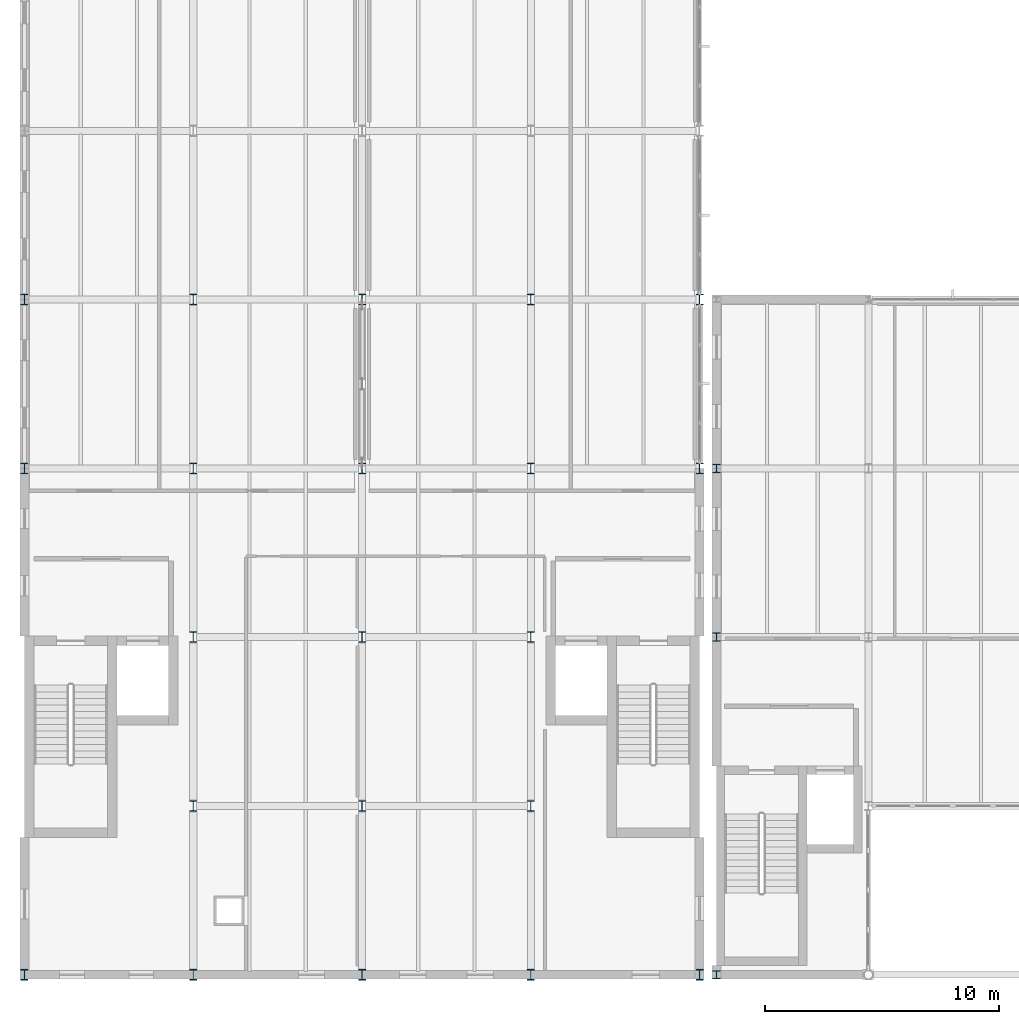
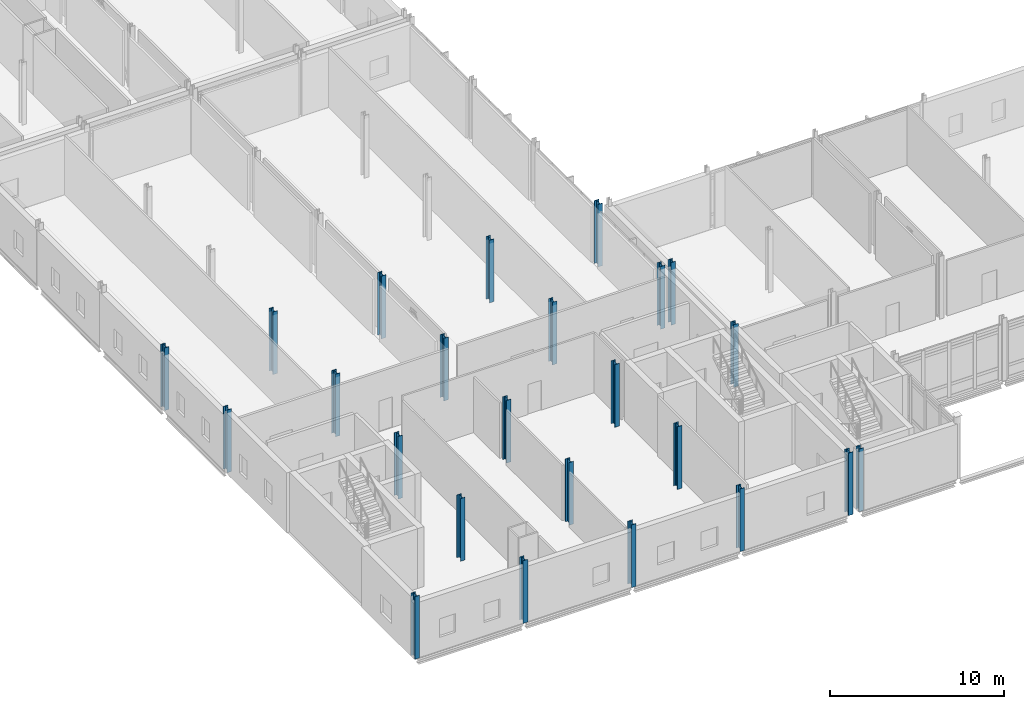
# One storey, part 1 of 72: 24 columns.
"""IFC4 building model written with IfcOpenShell, lengths in metres."""

from ifc_helpers import new_model, si_unit, direction, frame, origin, origin_2d, place, context, subcontext, project, spatial, i_section, extrude, material, material_profile, profile_set, type_object, element, save


model = new_model("IFC4")

# Units and contexts
model_context = context("Model", 3, precision=1e-05, world=origin(), true_north=direction((0.0, 1.0)))
body_context = subcontext(model_context, "Body", "Model", "MODEL_VIEW")
ifc_project = project(units=[si_unit("LENGTHUNIT", "METRE"), si_unit("AREAUNIT", "SQUARE_METRE"), si_unit("VOLUMEUNIT", "CUBIC_METRE"), si_unit("PLANEANGLEUNIT", "RADIAN"), si_unit("MASSUNIT", "GRAM", prefix="KILO")], contexts=[model_context])

# Site, building, storey
site_placement = place(None, origin())
site = spatial("IfcSite", under=ifc_project, at=site_placement, CompositionType="ELEMENT")
building_placement = place(site_placement, origin())
building = spatial("IfcBuilding", under=site, at=building_placement, Name="Zarrinpeak Specialist Clinic", CompositionType="ELEMENT")
storey_placement = place(building_placement, frame((0.0, 0.0, 9.60009765625)))
storey = spatial("IfcBuildingStorey", under=building, at=storey_placement, Name="L02", CompositionType="ELEMENT", Elevation=9.60009765625)

# Columns
ifc_material = material(Name="Steel S355", Category="steel")
ifc_material_profile_1 = material_profile(ifc_material, i_section(OverallWidth=0.300048828125, OverallDepth=0.360107421875, WebThickness=0.012451171875, FlangeThickness=0.0224609375, FilletRadius=0.027099609375, at=origin_2d()), Name="HEB 360")
ifc_profile_set_1 = profile_set([ifc_material_profile_1], Name="Steel S355")
column_type_1 = type_object("IfcColumnType", Name="COL-HEB360", PredefinedType="COLUMN", material=ifc_profile_set_1)
for number, where, z_axis, x_axis, name in (
    (1, (29.52001953125, 0.0, 0.0), (0.0, 0.0, 1.0), (1.0, 0.0, 0.0), "L02 Structural Column COL-L02-065"),
    (2, (29.52001953125, 14.39990234375, 0.0), (0.0, 0.0, 1.0), (1.0, 0.0, 0.0), "L02 Structural Column COL-L02-066"),
    (3, (29.52001953125, 21.60009765625, 0.0), (0.0, 0.0, 1.0), (1.0, 0.0, 0.0), "L02 Structural Column COL-L02-067"),
):
    element("IfcColumn", number, at=place(storey_placement, frame(where, z_axis=z_axis, x_axis=x_axis)), inside=storey, type_object=column_type_1, Name=name, PredefinedType="COLUMN", context=body_context, shape_type="SweptSolid", body=[
        extrude(i_section(OverallWidth=0.300048828125, OverallDepth=0.360107421875, WebThickness=0.012451171875, FlangeThickness=0.0224609375, FilletRadius=0.027099609375, at=origin_2d()), origin(), (0.0, 0.0, 1.0), 4.39990234375),
    ])
ifc_material_profile_2 = material_profile(ifc_material, i_section(OverallWidth=0.300048828125, OverallDepth=0.449951171875, WebThickness=0.013916015625, FlangeThickness=0.02587890625, FilletRadius=0.027099609375, at=origin_2d()), Name="HEB 450")
ifc_profile_set_2 = profile_set([ifc_material_profile_2], Name="Steel S355")
column_type_2 = type_object("IfcColumnType", Name="COL-HEB450", PredefinedType="COLUMN", material=ifc_profile_set_2)
for number, where, z_axis, x_axis, name in (
    (4, (0.0, 0.0, 0.0), (0.0, 0.0, 1.0), (1.0, 0.0, 0.0), "L02 Structural Column COL-L02-001"),
    (5, (0.0, 21.60009765625, 0.0), (0.0, 0.0, 1.0), (1.0, 0.0, 0.0), "L02 Structural Column COL-L02-002"),
    (6, (0.0, 28.800048828125, 0.0), (0.0, 0.0, 1.0), (1.0, 0.0, 0.0), "L02 Structural Column COL-L02-003"),
    (7, (7.199951171875, 0.0, 0.0), (0.0, 0.0, 1.0), (1.0, 0.0, 0.0), "L02 Structural Column COL-L02-012"),
    (8, (7.199951171875, 7.199951171875, 0.0), (0.0, 0.0, 1.0), (1.0, 0.0, 0.0), "L02 Structural Column COL-L02-013"),
    (9, (7.199951171875, 14.39990234375, 0.0), (0.0, 0.0, 1.0), (1.0, 0.0, 0.0), "L02 Structural Column COL-L02-014"),
    (10, (7.199951171875, 21.60009765625, 0.0), (0.0, 0.0, 1.0), (1.0, 0.0, 0.0), "L02 Structural Column COL-L02-015"),
    (11, (7.199951171875, 28.800048828125, 0.0), (0.0, 0.0, 1.0), (1.0, 0.0, 0.0), "L02 Structural Column COL-L02-016"),
    (12, (14.39990234375, 0.0, 0.0), (0.0, 0.0, 1.0), (1.0, 0.0, 0.0), "L02 Structural Column COL-L02-026"),
    (13, (14.39990234375, 7.199951171875, 0.0), (0.0, 0.0, 1.0), (1.0, 0.0, 0.0), "L02 Structural Column COL-L02-027"),
    (14, (14.39990234375, 14.39990234375, 0.0), (0.0, 0.0, 1.0), (1.0, 0.0, 0.0), "L02 Structural Column COL-L02-028"),
    (15, (14.39990234375, 21.60009765625, 0.0), (0.0, 0.0, 1.0), (1.0, 0.0, 0.0), "L02 Structural Column COL-L02-029"),
    (16, (14.39990234375, 28.800048828125, 0.0), (0.0, 0.0, 1.0), (1.0, 0.0, 0.0), "L02 Structural Column COL-L02-030"),
    (17, (21.60009765625, 0.0, 0.0), (0.0, 0.0, 1.0), (1.0, 0.0, 0.0), "L02 Structural Column COL-L02-040"),
    (18, (21.60009765625, 7.199951171875, 0.0), (0.0, 0.0, 1.0), (1.0, 0.0, 0.0), "L02 Structural Column COL-L02-041"),
    (19, (21.60009765625, 14.39990234375, 0.0), (0.0, 0.0, 1.0), (1.0, 0.0, 0.0), "L02 Structural Column COL-L02-042"),
    (20, (21.60009765625, 21.60009765625, 0.0), (0.0, 0.0, 1.0), (1.0, 0.0, 0.0), "L02 Structural Column COL-L02-043"),
    (21, (21.60009765625, 28.800048828125, 0.0), (0.0, 0.0, 1.0), (1.0, 0.0, 0.0), "L02 Structural Column COL-L02-044"),
    (22, (28.800048828125, 0.0, 0.0), (0.0, 0.0, 1.0), (1.0, 0.0, 0.0), "L02 Structural Column COL-L02-054"),
    (23, (28.800048828125, 21.60009765625, 0.0), (0.0, 0.0, 1.0), (1.0, 0.0, 0.0), "L02 Structural Column COL-L02-055"),
    (24, (28.800048828125, 28.800048828125, 0.0), (0.0, 0.0, 1.0), (1.0, 0.0, 0.0), "L02 Structural Column COL-L02-056"),
):
    element("IfcColumn", number, at=place(storey_placement, frame(where, z_axis=z_axis, x_axis=x_axis)), inside=storey, type_object=column_type_2, Name=name, PredefinedType="COLUMN", context=body_context, shape_type="SweptSolid", body=[
        extrude(i_section(OverallWidth=0.300048828125, OverallDepth=0.449951171875, WebThickness=0.013916015625, FlangeThickness=0.02587890625, FilletRadius=0.027099609375, at=origin_2d()), origin(), (0.0, 0.0, 1.0), 4.39990234375),
    ])

save(model, "model.ifc")
